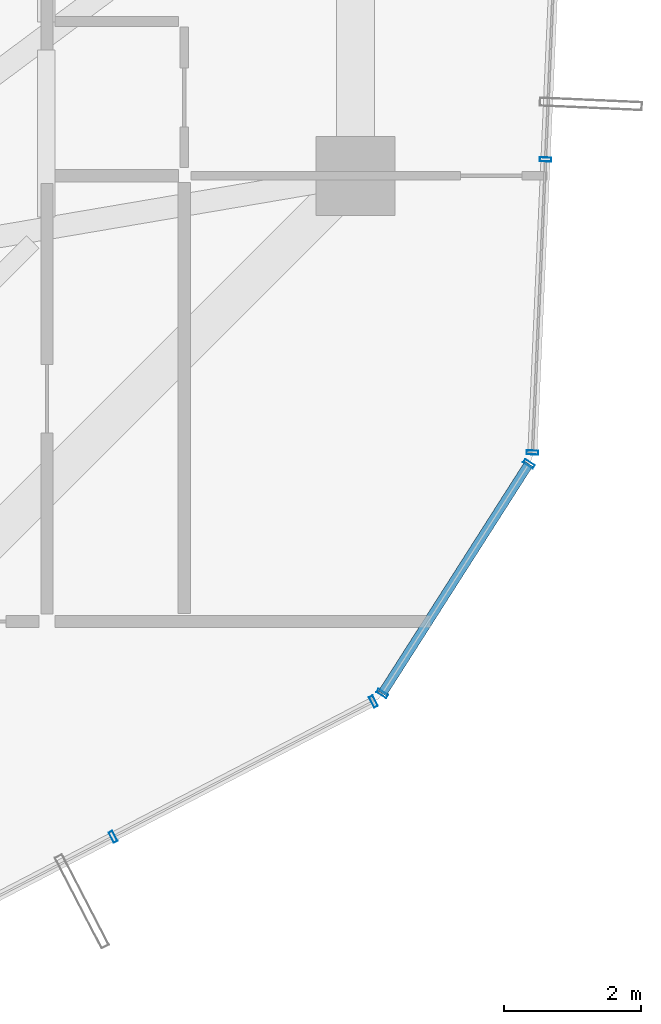
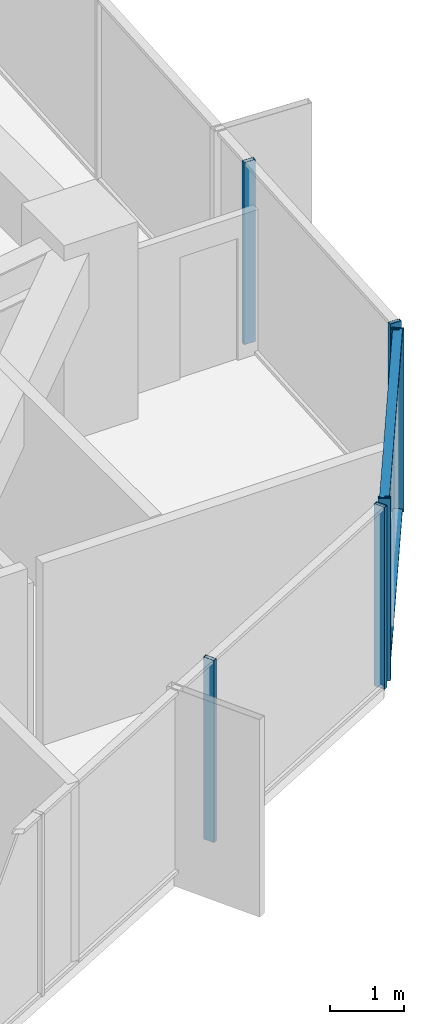
# One storey, part 12 of 30: 8 members, 3 elements without a shape of their own.
"""IFC4 building model written with IfcOpenShell, lengths in metres."""

from ifc_helpers import new_model, si_unit, direction, frame, origin, origin_2d, place, context, subcontext, project, spatial, hollow_rectangle, extrude, source, transform, mapped, material, layer, layer_set, material_profile, profile_set, type_object, element, aggregate, save


model = new_model("IFC4")

# Units and contexts
model_context = context("Model", 3, precision=1e-05, world=origin(), true_north=direction((0.0, 1.0)))
body_context = subcontext(model_context, "Body", "Model", "MODEL_VIEW")
ifc_project = project(units=[si_unit("LENGTHUNIT", "METRE"), si_unit("AREAUNIT", "SQUARE_METRE"), si_unit("VOLUMEUNIT", "CUBIC_METRE"), si_unit("PLANEANGLEUNIT", "RADIAN"), si_unit("MASSUNIT", "GRAM", prefix="KILO")], contexts=[model_context])

# Site, building, storey
site_placement = place(None, origin())
site = spatial("IfcSite", under=ifc_project, at=site_placement, CompositionType="ELEMENT")
building_placement = place(site_placement, origin())
building = spatial("IfcBuilding", under=site, at=building_placement, Name="Veraguas Prism Commons", CompositionType="ELEMENT")
storey_placement = place(building_placement, frame((0.0, 0.0, 119.75)))
storey = spatial("IfcBuildingStorey", under=building, at=storey_placement, Name="L33", CompositionType="ELEMENT", Elevation=119.75)

# Curtain wall, members
ifc_material = material(Name="Anodised aluminium EN AW-6063 T6", Category="aluminium")
ifc_layer = layer(ifc_material, 0.169921875, Name="Unitised Flush Curtain Wall Zone 2", Category="aluminium")
ifc_layer_set = layer_set([ifc_layer], Name="Anodised aluminium EN AW-6063 T6")
curtain_wall_type = type_object("IfcCurtainWallType", Name="Unitised Flush Curtain Wall Zone 2", PredefinedType="NOTDEFINED", material=ifc_layer_set)
curtain_wall_1_placement = place(storey_placement, origin())
curtain_wall_1 = element("IfcCurtainWall", 1, at=curtain_wall_1_placement, inside=storey, type_object=curtain_wall_type, Name="Tower Facade Curtain Wall L33-F5", PredefinedType="NOTDEFINED")
ifc_material_profile_1 = material_profile(ifc_material, hollow_rectangle(XDim=0.06005859375, YDim=0.169921875, WallThickness=0.00390625, at=origin_2d()), Name="AL60X170X4")
ifc_profile_set_1 = profile_set([ifc_material_profile_1], Name="Anodised aluminium EN AW-6063 T6")
member_type_1 = type_object("IfcMemberType", Name="Curtain Wall Mullion Lower AL 60x170x4", PredefinedType="MULLION", material=ifc_profile_set_1)
shared_shape_1 = source(origin(), body_context, "Body", "SweptSolid", [
    extrude(hollow_rectangle(XDim=0.06005859375, YDim=0.169921875, WallThickness=0.00390625, at=origin_2d()), origin(), (0.0, 0.0, 1.0), 3.0),
])
member_1_placement = place(storey_placement, frame((36.66357421875, 8.961181640625, 0.0), z_axis=(0.0, 0.0, 1.0), x_axis=(0.887493888749, 0.46081948465, 0.0)))
member_1 = element("IfcMember", 2, at=member_1_placement, type_object=member_type_1, Name="CW-Z2 Mullion 4", PredefinedType="MULLION", context=body_context, shape_type="MappedRepresentation", body=[
    mapped(shared_shape_1, transform((0.0, 0.0, 0.0), scale=1.0)),
])
member_2_placement = place(storey_placement, frame((40.460693359375, 10.932861328125, 0.0), z_axis=(0.0, 0.0, 1.0), x_axis=(0.887493888749, 0.46081948465, 0.0)))
member_2 = element("IfcMember", 3, at=member_2_placement, type_object=member_type_1, Name="CW-Z2 Mullion 5", PredefinedType="MULLION", context=body_context, shape_type="MappedRepresentation", body=[
    mapped(shared_shape_1, transform((0.0, 0.0, 0.0), scale=1.0)),
])
aggregate(curtain_wall_1, [member_1, member_2])

curtain_wall_2_placement = place(storey_placement, origin())
curtain_wall_2 = element("IfcCurtainWall", 4, at=curtain_wall_2_placement, inside=storey, type_object=curtain_wall_type, Name="Tower Facade Curtain Wall L33-F6", PredefinedType="NOTDEFINED")
member_3_placement = place(storey_placement, frame((42.77978515625, 14.564453125, 0.0), z_axis=(0.0, 0.0, 1.0), x_axis=(0.044667307696, 0.999001917728, 0.0)))
member_3 = element("IfcMember", 5, at=member_3_placement, type_object=member_type_1, Name="CW-Z2 Mullion 1", PredefinedType="MULLION", context=body_context, shape_type="MappedRepresentation", body=[
    mapped(shared_shape_1, transform((0.0, 0.0, 0.0), scale=1.0)),
])
member_4_placement = place(storey_placement, frame((42.970947265625, 18.8388671875, 0.0), z_axis=(0.0, 0.0, 1.0), x_axis=(0.044667307696, 0.999001917728, 0.0)))
member_4 = element("IfcMember", 6, at=member_4_placement, type_object=member_type_1, Name="CW-Z2 Mullion 2", PredefinedType="MULLION", context=body_context, shape_type="MappedRepresentation", body=[
    mapped(shared_shape_1, transform((0.0, 0.0, 0.0), scale=1.0)),
])
aggregate(curtain_wall_2, [member_3, member_4])

curtain_wall_3_placement = place(storey_placement, origin())
curtain_wall_3 = element("IfcCurtainWall", 7, at=curtain_wall_3_placement, inside=storey, type_object=curtain_wall_type, Name="Chamfer Curtain Wall L33-C6", PredefinedType="NOTDEFINED")
member_5_placement = place(storey_placement, frame((40.589111328125, 11.05029296875, 0.0), z_axis=(0.0, 0.0, 1.0), x_axis=(0.53817662697, 0.842832081843, 0.0)))
member_5 = element("IfcMember", 8, at=member_5_placement, type_object=member_type_1, Name="CW-Z2 Mullion 1", PredefinedType="MULLION", context=body_context, shape_type="MappedRepresentation", body=[
    mapped(shared_shape_1, transform((0.0, 0.0, 0.0), scale=1.0)),
])
member_6_placement = place(storey_placement, frame((42.727294921875, 14.39892578125, 0.0), z_axis=(0.0, 0.0, 1.0), x_axis=(0.53817662697, 0.842832081843, 0.0)))
member_6 = element("IfcMember", 9, at=member_6_placement, type_object=member_type_1, Name="CW-Z2 Mullion 2", PredefinedType="MULLION", context=body_context, shape_type="MappedRepresentation", body=[
    mapped(shared_shape_1, transform((0.0, 0.0, 0.0), scale=1.0)),
])
ifc_material_profile_2 = material_profile(ifc_material, hollow_rectangle(XDim=0.054931640625, YDim=0.135009765625, WallThickness=0.0029296875, at=origin_2d()), Name="AL55X135X3")
ifc_profile_set_2 = profile_set([ifc_material_profile_2], Name="Anodised aluminium EN AW-6063 T6")
member_type_2 = type_object("IfcMemberType", Name="Curtain Wall Transom Standard AL 55x135x3", PredefinedType="USERDEFINED", material=ifc_profile_set_2)
shared_shape_2 = source(origin(), body_context, "Body", "SweptSolid", [
    extrude(hollow_rectangle(XDim=0.054931640625, YDim=0.135009765625, WallThickness=0.0029296875, at=origin_2d()), origin(), (0.0, 0.0, 1.0), 3.97314453125),
])
member_7_placement = place(storey_placement, frame((40.589111328125, 11.05029296875, 0.027587890625), z_axis=(0.538171072722, 0.842835628391, 0.0), x_axis=(0.0, 0.0, 1.0)))
member_7 = element("IfcMember", 10, at=member_7_placement, type_object=member_type_2, Name="CW-Z2 Transom 1", ObjectType="TRANSOM", PredefinedType="USERDEFINED", context=body_context, shape_type="MappedRepresentation", body=[
    mapped(shared_shape_2, transform((0.0, 0.0, 0.0), scale=1.0)),
])
member_8_placement = place(storey_placement, frame((40.589111328125, 11.05029296875, 2.972412109375), z_axis=(0.538171072722, 0.842835628391, 0.0), x_axis=(0.0, 0.0, 1.0)))
member_8 = element("IfcMember", 11, at=member_8_placement, type_object=member_type_2, Name="CW-Z2 Transom 2", ObjectType="TRANSOM", PredefinedType="USERDEFINED", context=body_context, shape_type="MappedRepresentation", body=[
    mapped(shared_shape_2, transform((0.0, 0.0, 0.0), scale=1.0)),
])
aggregate(curtain_wall_3, [member_5, member_6, member_7, member_8])

save(model, "model.ifc")
